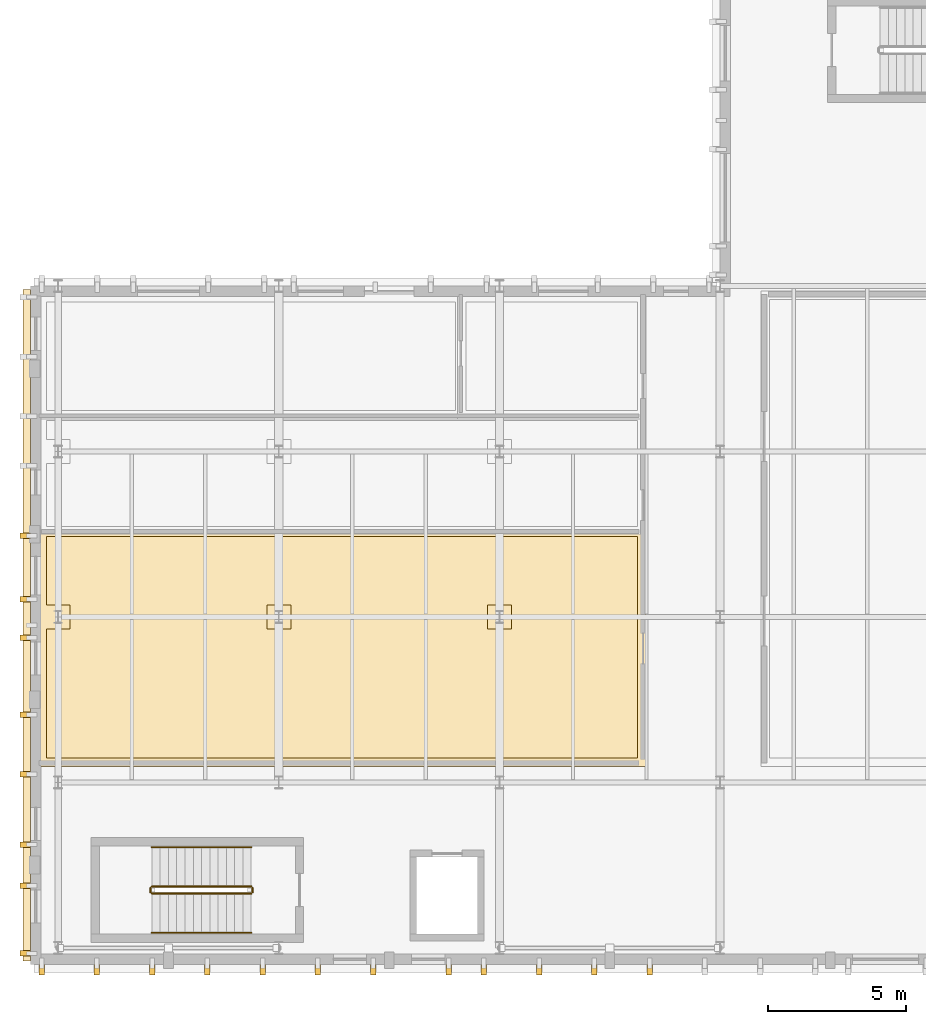
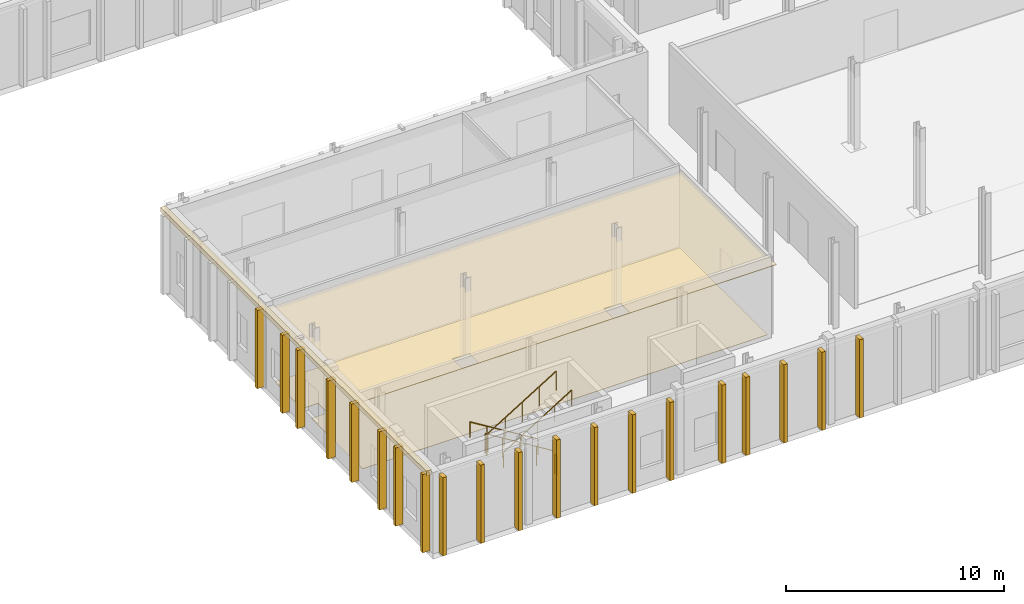
# One storey, part 40 of 60: 23 coverings, 6 railings.
"""IFC4 building model written with IfcOpenShell, lengths in metres."""

from ifc_helpers import new_model, si_unit, direction, frame, origin, origin_2d, place, context, subcontext, project, spatial, polyline, rectangle, circle, outline, extrude, material, layer, layer_set, type_object, element, save


model = new_model("IFC4")

# Units and contexts
model_context = context("Model", 3, precision=1e-05, world=origin(), true_north=direction((0.0, 1.0)))
body_context = subcontext(model_context, "Body", "Model", "MODEL_VIEW")
ifc_project = project(units=[si_unit("LENGTHUNIT", "METRE"), si_unit("AREAUNIT", "SQUARE_METRE"), si_unit("VOLUMEUNIT", "CUBIC_METRE"), si_unit("PLANEANGLEUNIT", "RADIAN"), si_unit("MASSUNIT", "GRAM", prefix="KILO")], contexts=[model_context])

# Site, building, storey
site_placement = place(None, origin())
site = spatial("IfcSite", under=ifc_project, at=site_placement, CompositionType="ELEMENT")
building_placement = place(site_placement, origin())
building = spatial("IfcBuilding", under=site, at=building_placement, Name="Cymarion Research Institute", CompositionType="ELEMENT")
storey_placement = place(building_placement, origin())
storey = spatial("IfcBuildingStorey", under=building, at=storey_placement, Name="L00", CompositionType="ELEMENT", Elevation=0.0)

# Covering
ifc_material_1 = material(Name="Micro-perforated mineral acoustic ceiling tile", Category="gypsum")
ifc_layer_1 = layer(ifc_material_1, 0.030029296875)
ifc_layer_set_1 = layer_set([ifc_layer_1], Name="Micro-perforated mineral acoustic ceiling tile")
covering_type_1 = type_object("IfcCoveringType", Name="ACOUSTIC MICRO-PERFORATED SUSPENDED CEILING CLG-01", PredefinedType="CEILING", material=ifc_layer_set_1)
covering_1_placement = place(storey_placement, frame((0.0, 0.0, 4.0)))
element("IfcCovering", 1, at=covering_1_placement, inside=storey, type_object=covering_type_1, Name="L00 L00 Undergraduate Natural Sciences Teaching Lab A acoustic ceiling", PredefinedType="CEILING", context=body_context, shape_type="SweptSolid", body=[
    extrude(outline(polyline([(27.9150390625, 20.715087890625), (27.9150390625, 12.0849609375), (5.885009765625, 12.0849609375), (5.885009765625, 20.715087890625), (27.9150390625, 20.715087890625)])), origin(), (0.0, 0.0, 1.0), 0.030029296875),
])

# Railings
ifc_material_2 = material(Name="Steel S355", Category="steel")
railing_type_1 = type_object("IfcRailingType", Name="PAINTED STEEL STAIR GUARDRAIL GR1 1100MM", PredefinedType="GUARDRAIL", material=ifc_material_2)
railing_1_placement = place(storey_placement, frame((13.60009765625, 7.72998046875, 0.1845703125)))
element("IfcRailing", 2, at=railing_1_placement, inside=storey, type_object=railing_type_1, Name="L00 ST5 stair guard 1", PredefinedType="GUARDRAIL", context=body_context, shape_type="SweptSolid", body=[
    extrude(circle(Radius=0.02392578125, at=origin_2d()), frame((0.0, 0.0, 1.076171875), z_axis=(-0.85167021472, 0.0, 0.524078090897), x_axis=(0.0, -1.0, 0.0)), (0.0, 0.0, 1.0), 4.22705078125),
    extrude(circle(Radius=0.02099609375, at=origin_2d()), origin(), (0.0, 0.0, 1.0), 1.052001953125),
    extrude(circle(Radius=0.02099609375, at=origin_2d()), frame((-0.89990234375, 0.0, 0.5537109375)), (0.0, 0.0, 1.0), 1.052001953125),
    extrude(circle(Radius=0.02099609375, at=origin_2d()), frame((-1.800048828125, 0.0, 1.107666015625)), (0.0, 0.0, 1.0), 1.052001953125),
    extrude(circle(Radius=0.02099609375, at=origin_2d()), frame((-2.7001953125, 0.0, 1.66162109375)), (0.0, 0.0, 1.0), 1.052001953125),
    extrude(circle(Radius=0.02099609375, at=origin_2d()), frame((-3.60009765625, 0.0, 2.21533203125)), (0.0, 0.0, 1.0), 1.052001953125),
])
railing_2_placement = place(storey_placement, frame((9.949951171875, 7.679931640625, 2.39990234375)))
element("IfcRailing", 3, at=railing_2_placement, inside=storey, type_object=railing_type_1, Name="L00 ST5 stair guard 2", PredefinedType="GUARDRAIL", context=body_context, shape_type="SweptSolid", body=[
    extrude(circle(Radius=0.02392578125, at=origin_2d()), frame((0.0, 0.0, 1.076171875), z_axis=(0.0, -1.0, 0.0), x_axis=(1.0, 0.0, 0.0)), (0.0, 0.0, 1.0), 0.159912109375),
    extrude(circle(Radius=0.02099609375, at=origin_2d()), origin(), (0.0, 0.0, 1.0), 1.052001953125),
    extrude(circle(Radius=0.02099609375, at=origin_2d()), frame((0.0, -0.159912109375, 0.0)), (0.0, 0.0, 1.0), 1.052001953125),
])
railing_3_placement = place(storey_placement, frame((10.0, 7.469970703125, 2.584716796875)))
element("IfcRailing", 4, at=railing_3_placement, inside=storey, type_object=railing_type_1, Name="L00 ST5 stair guard 3", PredefinedType="GUARDRAIL", context=body_context, shape_type="SweptSolid", body=[
    extrude(circle(Radius=0.02392578125, at=origin_2d()), frame((0.0, 0.0, 1.076171875), z_axis=(0.85167021472, 0.0, 0.524078090897), x_axis=(0.0, 1.0, 0.0)), (0.0, 0.0, 1.0), 4.22705078125),
    extrude(circle(Radius=0.02099609375, at=origin_2d()), origin(), (0.0, 0.0, 1.0), 1.052001953125),
    extrude(circle(Radius=0.02099609375, at=origin_2d()), frame((0.89990234375, 0.0, 0.5537109375)), (0.0, 0.0, 1.0), 1.052001953125),
    extrude(circle(Radius=0.02099609375, at=origin_2d()), frame((1.800048828125, 0.0, 1.107666015625)), (0.0, 0.0, 1.0), 1.052001953125),
    extrude(circle(Radius=0.02099609375, at=origin_2d()), frame((2.7001953125, 0.0, 1.66162109375)), (0.0, 0.0, 1.0), 1.052001953125),
    extrude(circle(Radius=0.02099609375, at=origin_2d()), frame((3.60009765625, 0.0, 2.21533203125)), (0.0, 0.0, 1.0), 1.052001953125),
])
railing_4_placement = place(storey_placement, frame((13.64990234375, 7.679931640625, 0.0)))
element("IfcRailing", 5, at=railing_4_placement, inside=storey, type_object=railing_type_1, Name="L00 ST5 stair guard 4", PredefinedType="GUARDRAIL", context=body_context, shape_type="SweptSolid", body=[
    extrude(circle(Radius=0.02392578125, at=origin_2d()), frame((0.0, 0.0, 1.076171875), z_axis=(0.0, -1.0, 0.0), x_axis=(1.0, 0.0, 0.0)), (0.0, 0.0, 1.0), 0.159912109375),
    extrude(circle(Radius=0.02099609375, at=origin_2d()), origin(), (0.0, 0.0, 1.0), 1.052001953125),
    extrude(circle(Radius=0.02099609375, at=origin_2d()), frame((0.0, -0.159912109375, 0.0)), (0.0, 0.0, 1.0), 1.052001953125),
])

# Coverings
ifc_material_3 = material(Name="Precast concrete C45/55 architectural white", Category="concrete")
ifc_layer_2 = layer(ifc_material_3, 0.260009765625)
ifc_layer_set_2 = layer_set([ifc_layer_2], Name="Precast concrete C45/55 architectural white")
covering_type_2 = type_object("IfcCoveringType", Name="SCULPTURAL WHITE PRECAST CONCRETE SPANDREL BROW BAND RIB2 280MM", PredefinedType="CLADDING", material=ifc_layer_set_2)
covering_2_placement = place(storey_placement, frame((5.4580078125, 17.199951171875, 4.39013671875), z_axis=(0.0, 0.0, 1.0), x_axis=(-1.0, 0.0, 0.0)))
element("IfcCovering", 6, at=covering_2_placement, inside=storey, type_object=covering_type_2, Name="L00 V3 precast spandrel brow band RIB2 #58", PredefinedType="CLADDING", context=body_context, shape_type="SweptSolid", body=[
    extrude(rectangle(XDim=0.280029296875, YDim=24.360107421875, at=origin_2d()), origin(), (0.0, 0.0, 1.0), 0.260009765625),
])
ifc_layer_3 = layer(ifc_material_3, 0.199951171875)
ifc_layer_set_3 = layer_set([ifc_layer_3], Name="Precast concrete C45/55 architectural white")
covering_type_3 = type_object("IfcCoveringType", Name="SCULPTURAL WHITE PRECAST CONCRETE VERTICAL RIB RIB1 380X200", PredefinedType="CLADDING", material=ifc_layer_set_3)
for number, where, z_axis, x_axis, name in (
    (7, (6.0, 4.7080078125, 0.010009765625), (0.0, 0.0, 1.0), (0.0, -1.0, 0.0), "L00 V3 sculptural precast vertical rib RIB1 #2"),
    (8, (8.004150390625, 4.7080078125, 0.010009765625), (0.0, 0.0, 1.0), (0.0, -1.0, 0.0), "L00 V3 sculptural precast vertical rib RIB1 #3"),
    (9, (10.00830078125, 4.7080078125, 0.010009765625), (0.0, 0.0, 1.0), (0.0, -1.0, 0.0), "L00 V3 sculptural precast vertical rib RIB1 #4"),
    (10, (12.012451171875, 4.7080078125, 0.010009765625), (0.0, 0.0, 1.0), (0.0, -1.0, 0.0), "L00 V3 sculptural precast vertical rib RIB1 #5"),
    (11, (14.0166015625, 4.7080078125, 0.010009765625), (0.0, 0.0, 1.0), (0.0, -1.0, 0.0), "L00 V3 sculptural precast vertical rib RIB1 #6"),
    (12, (16.020751953125, 4.7080078125, 0.010009765625), (0.0, 0.0, 1.0), (0.0, -1.0, 0.0), "L00 V3 sculptural precast vertical rib RIB1 #7"),
    (13, (18.02490234375, 4.7080078125, 0.010009765625), (0.0, 0.0, 1.0), (0.0, -1.0, 0.0), "L00 V3 sculptural precast vertical rib RIB1 #8"),
    (14, (20.77001953125, 4.7080078125, 0.010009765625), (0.0, 0.0, 1.0), (0.0, -1.0, 0.0), "L00 V3 sculptural precast vertical rib RIB1 #9"),
    (15, (22.033203125, 4.7080078125, 0.010009765625), (0.0, 0.0, 1.0), (0.0, -1.0, 0.0), "L00 V3 sculptural precast vertical rib RIB1 #10"),
    (16, (24.03759765625, 4.7080078125, 0.010009765625), (0.0, 0.0, 1.0), (0.0, -1.0, 0.0), "L00 V3 sculptural precast vertical rib RIB1 #11"),
    (17, (26.041748046875, 4.7080078125, 0.010009765625), (0.0, 0.0, 1.0), (0.0, -1.0, 0.0), "L00 V3 sculptural precast vertical rib RIB1 #12"),
    (18, (28.0458984375, 4.7080078125, 0.010009765625), (0.0, 0.0, 1.0), (0.0, -1.0, 0.0), "L00 V3 sculptural precast vertical rib RIB1 #13"),
    (19, (5.407958984375, 20.445556640625, 0.010009765625), (0.0, 0.0, 1.0), (-1.0, 0.0, 0.0), "L00 V3 sculptural precast vertical rib RIB1 #63"),
    (20, (5.407958984375, 18.14990234375, 0.010009765625), (0.0, 0.0, 1.0), (-1.0, 0.0, 0.0), "L00 V3 sculptural precast vertical rib RIB1 #64"),
    (21, (5.407958984375, 16.75, 0.010009765625), (0.0, 0.0, 1.0), (-1.0, 0.0, 0.0), "L00 V3 sculptural precast vertical rib RIB1 #65"),
    (22, (5.407958984375, 13.95458984375, 0.010009765625), (0.0, 0.0, 1.0), (-1.0, 0.0, 0.0), "L00 V3 sculptural precast vertical rib RIB1 #66"),
    (23, (5.407958984375, 11.791015625, 0.010009765625), (0.0, 0.0, 1.0), (-1.0, 0.0, 0.0), "L00 V3 sculptural precast vertical rib RIB1 #67"),
    (24, (5.407958984375, 9.25, 0.010009765625), (0.0, 0.0, 1.0), (-1.0, 0.0, 0.0), "L00 V3 sculptural precast vertical rib RIB1 #68"),
    (25, (5.407958984375, 7.760009765625, 0.010009765625), (0.0, 0.0, 1.0), (-1.0, 0.0, 0.0), "L00 V3 sculptural precast vertical rib RIB1 #69"),
    (26, (5.407958984375, 5.300048828125, 0.010009765625), (0.0, 0.0, 1.0), (-1.0, 0.0, 0.0), "L00 V3 sculptural precast vertical rib RIB1 #70"),
):
    element("IfcCovering", number, at=place(storey_placement, frame(where, z_axis=z_axis, x_axis=x_axis)), inside=storey, type_object=covering_type_3, Name=name, PredefinedType="CLADDING", context=body_context, shape_type="SweptSolid", body=[
        extrude(rectangle(XDim=0.3798828125, YDim=0.199951171875, at=origin_2d()), origin(), (0.0, 0.0, 1.0), 4.375),
    ])
ifc_material_4 = material(Name="Seamless dissipative epoxy resin flooring", Category="resin")
ifc_layer_4 = layer(ifc_material_4, 0.02001953125)
ifc_layer_set_4 = layer_set([ifc_layer_4], Name="Seamless dissipative epoxy resin flooring")
covering_type_4 = type_object("IfcCoveringType", Name="SEAMLESS ESD EPOXY LABORATORY FLOORING FLR-01", PredefinedType="FLOORING", material=ifc_layer_set_4)
covering_3_placement = place(storey_placement, origin())
element("IfcCovering", 27, at=covering_3_placement, inside=storey, type_object=covering_type_4, Name="L00 L00 Undergraduate Natural Sciences Teaching Lab A ESD epoxy flooring", PredefinedType="FLOORING", context=body_context, shape_type="SweptSolid", body=[
    extrude(outline(polyline([(6.18505859375, 17.06494140625), (7.034912109375, 17.06494140625), (7.034912109375, 17.93505859375), (6.18505859375, 17.93505859375), (6.18505859375, 20.4150390625), (27.614990234375, 20.4150390625), (27.614990234375, 12.385009765625), (6.18505859375, 12.385009765625), (6.18505859375, 17.06494140625)]), holes=[polyline([(23.034912109375, 17.93505859375), (22.1650390625, 17.93505859375), (22.1650390625, 17.06494140625), (23.034912109375, 17.06494140625), (23.034912109375, 17.93505859375)]), polyline([(15.034912109375, 17.93505859375), (14.1650390625, 17.93505859375), (14.1650390625, 17.06494140625), (15.034912109375, 17.06494140625), (15.034912109375, 17.93505859375)])]), origin(), (0.0, 0.0, 1.0), 0.02001953125),
])

# Railings
railing_type_2 = type_object("IfcRailingType", Name="STAINLESS STEEL STAIR HANDRAIL HR1 900MM", PredefinedType="HANDRAIL", material=ifc_material_2)
railing_5_placement = place(storey_placement, frame((13.60009765625, 9.14990234375, 0.1845703125)))
element("IfcRailing", 28, at=railing_5_placement, inside=storey, type_object=railing_type_2, Name="L00 ST5 stair handrail 1", PredefinedType="HANDRAIL", context=body_context, shape_type="SweptSolid", body=[
    extrude(circle(Radius=0.02392578125, at=origin_2d()), frame((0.0, 0.0, 0.8759765625), z_axis=(-0.85167021472, 0.0, 0.524078090897), x_axis=(0.0, -1.0, 0.0)), (0.0, 0.0, 1.0), 4.22705078125),
    extrude(circle(Radius=0.02099609375, at=origin_2d()), origin(), (0.0, 0.0, 1.0), 0.851806640625),
    extrude(circle(Radius=0.02099609375, at=origin_2d()), frame((-0.89990234375, 0.0, 0.5537109375)), (0.0, 0.0, 1.0), 0.851806640625),
    extrude(circle(Radius=0.02099609375, at=origin_2d()), frame((-1.800048828125, 0.0, 1.107666015625)), (0.0, 0.0, 1.0), 0.851806640625),
    extrude(circle(Radius=0.02099609375, at=origin_2d()), frame((-2.7001953125, 0.0, 1.66162109375)), (0.0, 0.0, 1.0), 0.851806640625),
    extrude(circle(Radius=0.02099609375, at=origin_2d()), frame((-3.60009765625, 0.0, 2.21533203125)), (0.0, 0.0, 1.0), 0.851806640625),
])
railing_6_placement = place(storey_placement, frame((10.0, 6.050048828125, 2.584716796875)))
element("IfcRailing", 29, at=railing_6_placement, inside=storey, type_object=railing_type_2, Name="L00 ST5 stair handrail 2", PredefinedType="HANDRAIL", context=body_context, shape_type="SweptSolid", body=[
    extrude(circle(Radius=0.02392578125, at=origin_2d()), frame((0.0, 0.0, 0.8759765625), z_axis=(0.85167021472, 0.0, 0.524078090897), x_axis=(0.0, 1.0, 0.0)), (0.0, 0.0, 1.0), 4.22705078125),
    extrude(circle(Radius=0.02099609375, at=origin_2d()), origin(), (0.0, 0.0, 1.0), 0.851806640625),
    extrude(circle(Radius=0.02099609375, at=origin_2d()), frame((0.89990234375, 0.0, 0.5537109375)), (0.0, 0.0, 1.0), 0.851806640625),
    extrude(circle(Radius=0.02099609375, at=origin_2d()), frame((1.800048828125, 0.0, 1.107666015625)), (0.0, 0.0, 1.0), 0.851806640625),
    extrude(circle(Radius=0.02099609375, at=origin_2d()), frame((2.7001953125, 0.0, 1.66162109375)), (0.0, 0.0, 1.0), 0.851806640625),
    extrude(circle(Radius=0.02099609375, at=origin_2d()), frame((3.60009765625, 0.0, 2.21533203125)), (0.0, 0.0, 1.0), 0.851806640625),
])

save(model, "model.ifc")
